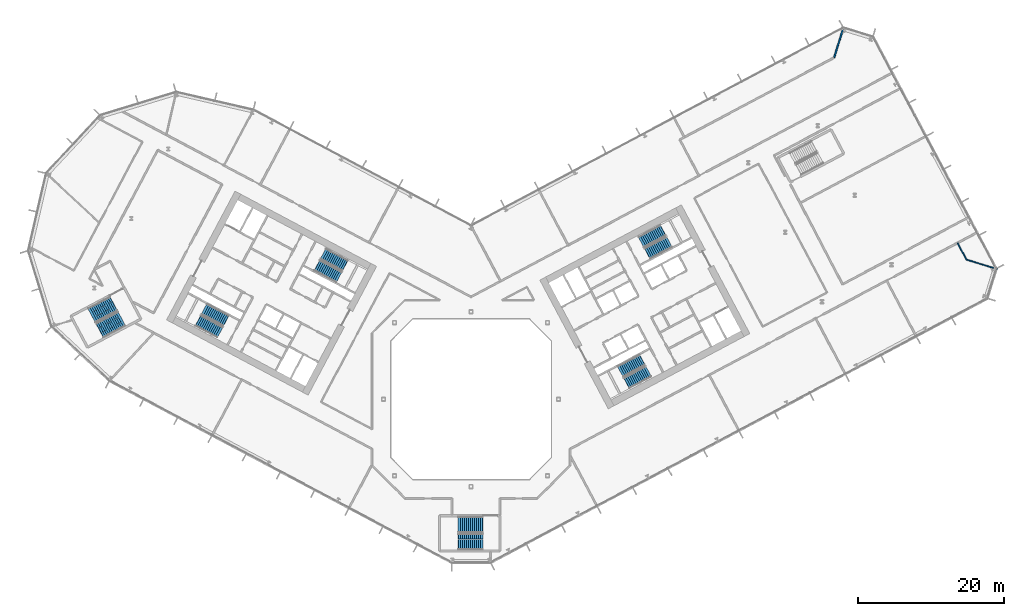
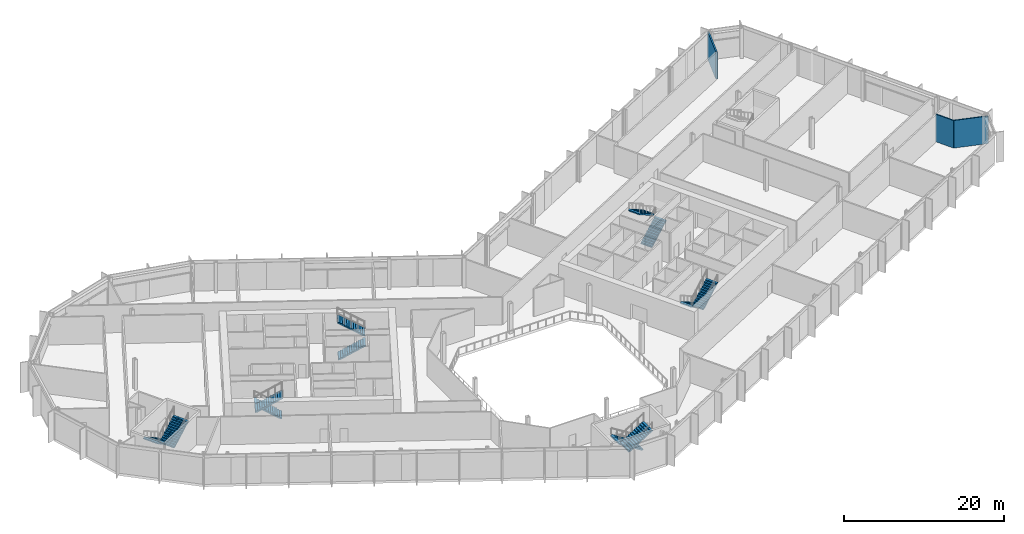
# One storey, part 20 of 32: 12 stair flights, 3 walls, 6 elements without a shape of their own.
"""IFC4 building model written with IfcOpenShell, lengths in metres."""

import ifcopenshell
import ifcopenshell.guid

model = None  # the IFC model being written
_history = None  # IfcOwnerHistory: only IFC2X3 demands one
_inside = {}  # id of a spatial element -> (the spatial element, [elements in it])
_under = {}  # id of a project, library or spatial element -> (it, [spatial elements below it])
_declared = {}  # id of a project -> (the project, [libraries it declares])
_typed = {}  # id of a type object -> (the type object, [elements of that type])
_made_of = {}  # id of a material, layer set ... -> (it, [elements and type objects made of it])


def new_model(schema):
    """Start an empty IFC model of exactly this schema.

    Asked for "IFC4X3", IfcOpenShell would pick the latest addendum, in which some entities
    have other attributes; the version numbers below select the first issue.
    IFC2X3 requires an IfcOwnerHistory on every rooted entity: one is made here for all.
    """
    global model, _history
    if schema == "IFC4X3":
        model = ifcopenshell.file(schema_version=(4, 3, 0, 0))
    else:
        model = ifcopenshell.file(schema=schema)
    _inside.clear()
    _under.clear()
    _declared.clear()
    _typed.clear()
    _made_of.clear()
    _history = None
    if model.schema == "IFC2X3":
        org = make("IfcOrganization", Name="unknown")
        user = make(
            "IfcPersonAndOrganization",
            ThePerson=make("IfcPerson", FamilyName="unknown"),
            TheOrganization=org,
        )
        app = make(
            "IfcApplication",
            ApplicationDeveloper=org,
            Version="unknown",
            ApplicationFullName="unknown",
            ApplicationIdentifier="unknown",
        )
        _history = make(
            "IfcOwnerHistory",
            OwningUser=user,
            OwningApplication=app,
            ChangeAction="ADDED",
            CreationDate=0,
        )
    return model


def make(cls, **values):
    """One entity of the class cls with the attributes given. An attribute that is None is left unset."""
    return model.create_entity(
        cls, **{name: value for name, value in values.items() if value is not None}
    )


def rooted(cls, **values):
    """An entity with a GlobalId (a new one), such as an element, a storey or a relation."""
    return make(cls, GlobalId=ifcopenshell.guid.new(), OwnerHistory=_history, **values)


def si_unit(unit_type, name, prefix=None):
    """IfcSIUnit, for example si_unit("LENGTHUNIT", "METRE", prefix="MILLI")."""
    return make("IfcSIUnit", UnitType=unit_type, Prefix=prefix, Name=name)


def assignment(units):
    """IfcUnitAssignment: the units of a project."""
    return None if units is None else make("IfcUnitAssignment", Units=units)


def point(xyz):
    """IfcCartesianPoint."""
    return None if xyz is None else make("IfcCartesianPoint", Coordinates=xyz)


def direction(xyz):
    """IfcDirection."""
    return None if xyz is None else make("IfcDirection", DirectionRatios=xyz)


def frame(location, z_axis=None, x_axis=None):
    """IfcAxis2Placement3D, a coordinate frame: its origin and axes. An axis left out is left unset."""
    return make(
        "IfcAxis2Placement3D",
        Location=point(location),
        Axis=direction(z_axis),
        RefDirection=direction(x_axis),
    )


def frame_2d(location, x_axis=None):
    """IfcAxis2Placement2D, a coordinate frame in the plane: its origin and x axis."""
    return make(
        "IfcAxis2Placement2D", Location=point(location), RefDirection=direction(x_axis)
    )


def origin():
    """The frame at (0, 0, 0) with its axes left unset."""
    return frame((0.0, 0.0, 0.0))


def place(relative_to, where):
    """IfcLocalPlacement: puts the frame where relative to a parent placement (None: the world)."""
    return make(
        "IfcLocalPlacement", PlacementRelTo=relative_to, RelativePlacement=where
    )


def context(
    kind, dimensions, precision=None, world=None, true_north=None, identifier=None
):
    """IfcGeometricRepresentationContext, for example the 3D "Model" context."""
    return make(
        "IfcGeometricRepresentationContext",
        ContextIdentifier=identifier,
        ContextType=kind,
        CoordinateSpaceDimension=dimensions,
        Precision=precision,
        WorldCoordinateSystem=world,
        TrueNorth=true_north,
    )


def subcontext(parent, identifier, kind, view, scale=None):
    """IfcGeometricRepresentationSubContext, for example "Body" below "Model"."""
    return make(
        "IfcGeometricRepresentationSubContext",
        ContextIdentifier=identifier,
        ContextType=kind,
        ParentContext=parent,
        TargetScale=scale,
        TargetView=view,
    )


def project(units=None, contexts=None):
    """IfcProject with its units and contexts."""
    return rooted(
        "IfcProject",
        Name="project",
        RepresentationContexts=contexts,
        UnitsInContext=assignment(units),
    )


def spatial(cls, under=None, at=None, **own):
    """A site, building, storey or space (cls), placed at a placement, below another one or the project."""
    s = rooted(cls, ObjectPlacement=at, **own)
    if under is not None:
        _under.setdefault(under.id(), (under, []))[1].append(s)
    return s


def polyline(points):
    """IfcPolyline through the points."""
    return make("IfcPolyline", Points=[point(p) for p in points])


def profile(cls, at=None, kind="AREA", **sizes):
    """A parametric profile (cls). Its sizes go by their IFC names, for example OverallWidth=200.0."""
    return make(cls, ProfileType=kind, Position=at, **sizes)


def rectangle(**sizes):
    """IfcRectangleProfileDef."""
    return profile("IfcRectangleProfileDef", **sizes)


def outline(outer, holes=None, kind="AREA"):
    """IfcArbitraryClosedProfileDef: a profile drawn as a closed curve; with holes, ...WithVoids."""
    if holes is None:
        return make("IfcArbitraryClosedProfileDef", ProfileType=kind, OuterCurve=outer)
    return make(
        "IfcArbitraryProfileDefWithVoids",
        ProfileType=kind,
        OuterCurve=outer,
        InnerCurves=holes,
    )


def extrude(swept, where, along, depth):
    """IfcExtrudedAreaSolid: the profile swept, set in the frame where, extruded along a direction by depth."""
    return make(
        "IfcExtrudedAreaSolid",
        SweptArea=swept,
        Position=where,
        ExtrudedDirection=direction(along),
        Depth=depth,
    )


def shape(context_of_items, identifier, shape_type, items):
    """IfcShapeRepresentation: the items that make up one representation, for example the "Body"."""
    return make(
        "IfcShapeRepresentation",
        ContextOfItems=context_of_items,
        RepresentationIdentifier=identifier,
        RepresentationType=shape_type,
        Items=items,
    )


def material(Name=None, Category=None):
    """IfcMaterial."""
    return make("IfcMaterial", Name=Name, Category=Category)


def layer(
    of_material, thickness, ventilated=None, Name=None, Category=None, Priority=None
):
    """IfcMaterialLayer: one layer of a wall or slab, of a material (None: an air gap)."""
    return make(
        "IfcMaterialLayer",
        Material=of_material,
        LayerThickness=thickness,
        IsVentilated=ventilated,
        Name=Name,
        Category=Category,
        Priority=Priority,
    )


def layer_set(layers, Name=None):
    """IfcMaterialLayerSet."""
    return make("IfcMaterialLayerSet", MaterialLayers=layers, LayerSetName=Name)


def made_of(thing, what):
    """Note that an element or type object is made of a material, layer set ...; save() writes the relation."""
    if what is not None:
        _made_of.setdefault(what.id(), (what, []))[1].append(thing)
    return thing


def type_object(cls, material=None, **own):
    """A type object (cls), such as IfcWallType, which elements share."""
    return made_of(rooted(cls, **own), material)


def element(
    cls,
    number,
    at=None,
    inside=None,
    cuts=None,
    type_object=None,
    material=None,
    context=None,
    identifier="Body",
    shape_type=None,
    held_by="IfcProductDefinitionShape",
    body=None,
    shapes=None,
    **own,
):
    """One element of the class cls, such as IfcWall. Its Tag is "e" and its number.

    at: its placement. inside: the storey or other place that contains it. cuts: it is an
    opening in that element (IfcRelVoidsElement). A single representation is given by context,
    identifier, shape_type and body (its items); several are given by shapes. held_by: the class
    of the entity that holds the representations. save() writes the other relations.
    """
    e = rooted(cls, Tag="e%d" % number, ObjectPlacement=at, **own)
    if body is not None:
        shapes = [shape(context, identifier, shape_type, body)]
    if shapes is not None:
        e.Representation = make(held_by, Representations=shapes)
    if inside is not None:
        _inside.setdefault(inside.id(), (inside, []))[1].append(e)
    if cuts is not None:
        rooted(
            "IfcRelVoidsElement", RelatingBuildingElement=cuts, RelatedOpeningElement=e
        )
    if type_object is not None:
        _typed.setdefault(type_object.id(), (type_object, []))[1].append(e)
    return made_of(e, material)


def aggregate(whole, parts):
    """IfcRelAggregates: a whole, such as a stair, and the parts it consists of."""
    return rooted("IfcRelAggregates", RelatingObject=whole, RelatedObjects=parts)


def save(model, path):
    """Write the relations noted so far, then the file.

    IfcRelAggregates (storeys below a building ...), IfcRelContainedInSpatialStructure (elements
    in a storey), IfcRelDefinesByType, IfcRelAssociatesMaterial and IfcRelDeclares: one each for
    every whole, place, type object, material and project.
    """
    for whole, parts in _under.values():
        aggregate(whole, parts)
    for where, things in _inside.values():
        rooted(
            "IfcRelContainedInSpatialStructure",
            RelatedElements=things,
            RelatingStructure=where,
        )
    for kind, things in _typed.values():
        rooted("IfcRelDefinesByType", RelatedObjects=things, RelatingType=kind)
    for what, things in _made_of.values():
        rooted("IfcRelAssociatesMaterial", RelatedObjects=things, RelatingMaterial=what)
    for by, libraries in _declared.values():
        rooted("IfcRelDeclares", RelatingContext=by, RelatedDefinitions=libraries)
    model.write(path)


model = new_model("IFC4")

# Units and contexts
model_context = context("Model", 3, precision=1e-05, world=origin(), true_north=direction((0.0, 1.0)))
body_context = subcontext(model_context, "Body", "Model", "MODEL_VIEW")
ifc_project = project(units=[si_unit("LENGTHUNIT", "METRE"), si_unit("AREAUNIT", "SQUARE_METRE"), si_unit("VOLUMEUNIT", "CUBIC_METRE"), si_unit("PLANEANGLEUNIT", "RADIAN"), si_unit("MASSUNIT", "GRAM", prefix="KILO")], contexts=[model_context])

# Site, building, storey
site_placement = place(None, origin())
site = spatial("IfcSite", under=ifc_project, at=site_placement, CompositionType="ELEMENT")
building_placement = place(site_placement, origin())
building = spatial("IfcBuilding", under=site, at=building_placement, Name="Cormorant Relay Tower", CompositionType="ELEMENT")
storey_placement = place(building_placement, frame((0.0, 0.0, 66.199951171875)))
storey = spatial("IfcBuildingStorey", under=building, at=storey_placement, Name="L12", CompositionType="ELEMENT", Elevation=66.199951171875)

# Walls
ifc_material_1 = material(Name="Fire-rated gypsum board partition")
ifc_layer_1 = layer(ifc_material_1, 0.199951171875)
ifc_layer_set_1 = layer_set([ifc_layer_1], Name="Fire-rated gypsum partition 200")
wall_type_1 = type_object("IfcWallType", Name="Fire-rated gypsum partition 200", PredefinedType="PARTITIONING", material=ifc_layer_set_1)
wall_1_placement = place(storey_placement, frame((49.823974609375, 46.8779296875, 0.0), z_axis=(0.0, 0.0, 1.0), x_axis=(0.29242717897, 0.956287794024, 0.0)))
element("IfcWall", 1, at=wall_1_placement, inside=storey, type_object=wall_type_1, Name="wall/L12/part/39", PredefinedType="PARTITIONING", context=body_context, shape_type="SweptSolid", body=[
    extrude(rectangle(XDim=4.458984375, YDim=0.199951171875, at=frame_2d((2.2294921875, 0.0))), origin(), (0.0, 0.0, 1.0), 4.199951171875),
])
ifc_material_2 = material(Name="Gypsum board partition")
ifc_layer_2 = layer(ifc_material_2, 0.14990234375)
ifc_layer_set_2 = layer_set([ifc_layer_2], Name="Gypsum board partition 150")
wall_type_2 = type_object("IfcWallType", Name="Gypsum board partition 150", PredefinedType="PARTITIONING", material=ifc_layer_set_2)
wall_2_placement = place(storey_placement, frame((66.743896484375, 21.445068359375, 0.0), z_axis=(0.0, 0.0, 1.0), x_axis=(0.469720428517, -0.882815223608, 0.0)))
element("IfcWall", 2, at=wall_2_placement, inside=storey, type_object=wall_type_2, Name="wall/L12/part/50", PredefinedType="PARTITIONING", context=body_context, shape_type="SweptSolid", body=[
    extrude(rectangle(XDim=2.599853515625, YDim=0.14990234375, at=frame_2d((1.2998046875, 0.0))), origin(), (0.0, 0.0, 1.0), 4.199951171875),
])
wall_3_placement = place(storey_placement, frame((67.965087890625, 19.14990234375, 0.0), z_axis=(0.0, 0.0, 1.0), x_axis=(0.956221844793, -0.292642757539, 0.0)))
element("IfcWall", 3, at=wall_3_placement, inside=storey, type_object=wall_type_2, Name="wall/L12/part/51", PredefinedType="PARTITIONING", context=body_context, shape_type="SweptSolid", body=[
    extrude(rectangle(XDim=4.459228515625, YDim=0.14990234375, at=frame_2d((2.2294921875, 0.0))), origin(), (0.0, 0.0, 1.0), 4.199951171875),
])

# Stair, stair flights
ifc_material_3 = material(Name="Concrete 40 MPa", Category="concrete")
stair_type_1 = type_object("IfcStairType", Name="Exit stair 1500", PredefinedType="HALF_TURN_STAIR", material=ifc_material_3)
stair_1_placement = place(storey_placement, origin())
stair_1 = element("IfcStair", 4, at=stair_1_placement, inside=storey, type_object=stair_type_1, Name="L12 Stair", PredefinedType="HALF_TURN_STAIR")
ifc_material_4 = material(Name="Concrete 40 MPa", Category="concrete")
stair_flight_type_1 = type_object("IfcStairFlightType", Name="Exit stair flight 1650", PredefinedType="STRAIGHT", material=ifc_material_4)
stair_flight_1_placement = place(storey_placement, frame((-21.114501953125, 18.33349609375, 0.0), z_axis=(0.0, 0.0, 1.0), x_axis=(0.882947592859, -0.469471562786, 0.0)))
stair_flight_1 = element("IfcStairFlight", 5, at=stair_flight_1_placement, type_object=stair_flight_type_1, Name="A1 flight 1", NumberOfRisers=13, NumberOfTreads=12, PredefinedType="STRAIGHT", RiserHeight=0.176923077, TreadLength=0.28, context=body_context, shape_type="SweptSolid", body=[
    extrude(outline(polyline([(-0.050048828125, -0.080078125), (-0.050048828125, 0.0), (0.0, 0.0), (0.0, 0.177001953125), (0.280029296875, 0.177001953125), (0.280029296875, 0.353759765625), (0.56005859375, 0.353759765625), (0.56005859375, 0.53076171875), (0.840087890625, 0.53076171875), (0.840087890625, 0.707763671875), (1.1201171875, 0.707763671875), (1.1201171875, 0.884521484375), (1.39990234375, 0.884521484375), (1.39990234375, 1.0615234375), (1.679931640625, 1.0615234375), (1.679931640625, 1.238525390625), (1.9599609375, 1.238525390625), (1.9599609375, 1.415283203125), (2.239990234375, 1.415283203125), (2.239990234375, 1.59228515625), (2.52001953125, 1.59228515625), (2.52001953125, 1.769287109375), (2.800048828125, 1.769287109375), (2.800048828125, 1.946044921875), (3.080078125, 1.946044921875), (3.080078125, 2.123046875), (3.360107421875, 2.123046875), (3.41015625, 2.123046875), (3.41015625, 1.94580078125), (3.360107421875, 1.94580078125), (0.280517578125, 0.0), (-0.050048828125, -0.080078125)])), frame((0.0, 0.824951171875, 0.0), z_axis=(0.0, -1.0, 0.0), x_axis=(1.0, 0.0, 0.0)), (0.0, 0.0, 1.0), 1.64990234375),
])
stair_flight_2_placement = place(storey_placement, frame((-17.302734375, 18.345458984375, 2.300048828125), z_axis=(0.0, 0.0, 1.0), x_axis=(-0.882947592859, 0.469471562786, 0.0)))
stair_flight_2 = element("IfcStairFlight", 6, at=stair_flight_2_placement, type_object=stair_flight_type_1, Name="A1 flight 2", NumberOfRisers=13, NumberOfTreads=12, PredefinedType="STRAIGHT", RiserHeight=0.176923077, TreadLength=0.28, context=body_context, shape_type="SweptSolid", body=[
    extrude(outline(polyline([(-0.050048828125, -0.080078125), (-0.050048828125, 0.0), (0.0, 0.0), (0.0, 0.177001953125), (0.280029296875, 0.177001953125), (0.280029296875, 0.353759765625), (0.56005859375, 0.353759765625), (0.56005859375, 0.53076171875), (0.840087890625, 0.53076171875), (0.840087890625, 0.707763671875), (1.1201171875, 0.707763671875), (1.1201171875, 0.884521484375), (1.39990234375, 0.884521484375), (1.39990234375, 1.0615234375), (1.679931640625, 1.0615234375), (1.679931640625, 1.238525390625), (1.9599609375, 1.238525390625), (1.9599609375, 1.415283203125), (2.239990234375, 1.415283203125), (2.239990234375, 1.59228515625), (2.52001953125, 1.59228515625), (2.52001953125, 1.769287109375), (2.800048828125, 1.769287109375), (2.800048828125, 1.946044921875), (3.080078125, 1.946044921875), (3.080078125, 2.123046875), (3.360107421875, 2.123046875), (3.41015625, 2.123046875), (3.41015625, 1.94580078125), (3.360107421875, 1.94580078125), (0.280517578125, 0.0), (-0.050048828125, -0.080078125)])), frame((0.0, 0.824951171875, 0.0), z_axis=(0.0, -1.0, 0.0), x_axis=(1.0, 0.0, 0.0)), (0.0, 0.0, 1.0), 1.64990234375),
])
aggregate(stair_1, [stair_flight_1, stair_flight_2])

stair_2_placement = place(storey_placement, origin())
stair_2 = element("IfcStair", 7, at=stair_2_placement, inside=storey, type_object=stair_type_1, Name="L12 Stair", PredefinedType="HALF_TURN_STAIR")
stair_flight_3_placement = place(storey_placement, frame((-33.62841796875, 10.773681640625, 0.0), z_axis=(0.0, 0.0, 1.0), x_axis=(-0.882947592859, 0.469471562786, 0.0)))
stair_flight_3 = element("IfcStairFlight", 8, at=stair_flight_3_placement, type_object=stair_flight_type_1, Name="A2 flight 1", NumberOfRisers=13, NumberOfTreads=12, PredefinedType="STRAIGHT", RiserHeight=0.176923077, TreadLength=0.28, context=body_context, shape_type="SweptSolid", body=[
    extrude(outline(polyline([(-0.050048828125, -0.080078125), (-0.050048828125, 0.0), (0.0, 0.0), (0.0, 0.177001953125), (0.280029296875, 0.177001953125), (0.280029296875, 0.353759765625), (0.56005859375, 0.353759765625), (0.56005859375, 0.53076171875), (0.840087890625, 0.53076171875), (0.840087890625, 0.707763671875), (1.1201171875, 0.707763671875), (1.1201171875, 0.884521484375), (1.39990234375, 0.884521484375), (1.39990234375, 1.0615234375), (1.679931640625, 1.0615234375), (1.679931640625, 1.238525390625), (1.9599609375, 1.238525390625), (1.9599609375, 1.415283203125), (2.239990234375, 1.415283203125), (2.239990234375, 1.59228515625), (2.52001953125, 1.59228515625), (2.52001953125, 1.769287109375), (2.800048828125, 1.769287109375), (2.800048828125, 1.946044921875), (3.080078125, 1.946044921875), (3.080078125, 2.123046875), (3.360107421875, 2.123046875), (3.41015625, 2.123046875), (3.41015625, 1.94580078125), (3.360107421875, 1.94580078125), (0.280517578125, 0.0), (-0.050048828125, -0.080078125)])), frame((0.0, 0.824951171875, 0.0), z_axis=(0.0, -1.0, 0.0), x_axis=(1.0, 0.0, 0.0)), (0.0, 0.0, 1.0), 1.64990234375),
])
stair_flight_4_placement = place(storey_placement, frame((-37.440185546875, 10.76171875, 2.300048828125), z_axis=(0.0, 0.0, 1.0), x_axis=(0.882947592859, -0.469471562786, 0.0)))
stair_flight_4 = element("IfcStairFlight", 9, at=stair_flight_4_placement, type_object=stair_flight_type_1, Name="A2 flight 2", NumberOfRisers=13, NumberOfTreads=12, PredefinedType="STRAIGHT", RiserHeight=0.176923077, TreadLength=0.28, context=body_context, shape_type="SweptSolid", body=[
    extrude(outline(polyline([(-0.050048828125, -0.080078125), (-0.050048828125, 0.0), (0.0, 0.0), (0.0, 0.177001953125), (0.280029296875, 0.177001953125), (0.280029296875, 0.353759765625), (0.56005859375, 0.353759765625), (0.56005859375, 0.53076171875), (0.840087890625, 0.53076171875), (0.840087890625, 0.707763671875), (1.1201171875, 0.707763671875), (1.1201171875, 0.884521484375), (1.39990234375, 0.884521484375), (1.39990234375, 1.0615234375), (1.679931640625, 1.0615234375), (1.679931640625, 1.238525390625), (1.9599609375, 1.238525390625), (1.9599609375, 1.415283203125), (2.239990234375, 1.415283203125), (2.239990234375, 1.59228515625), (2.52001953125, 1.59228515625), (2.52001953125, 1.769287109375), (2.800048828125, 1.769287109375), (2.800048828125, 1.946044921875), (3.080078125, 1.946044921875), (3.080078125, 2.123046875), (3.360107421875, 2.123046875), (3.41015625, 2.123046875), (3.41015625, 1.94580078125), (3.360107421875, 1.94580078125), (0.280517578125, 0.0), (-0.050048828125, -0.080078125)])), frame((0.0, 0.824951171875, 0.0), z_axis=(0.0, -1.0, 0.0), x_axis=(1.0, 0.0, 0.0)), (0.0, 0.0, 1.0), 1.64990234375),
])
aggregate(stair_2, [stair_flight_3, stair_flight_4])

stair_3_placement = place(storey_placement, origin())
stair_3 = element("IfcStair", 10, at=stair_3_placement, inside=storey, type_object=stair_type_1, Name="L12 Stair", PredefinedType="HALF_TURN_STAIR")
stair_flight_5_placement = place(storey_placement, frame((23.474365234375, 5.374755859375, 0.0), z_axis=(0.0, 0.0, 1.0), x_axis=(-0.882947592859, -0.469471562786, 0.0)))
stair_flight_5 = element("IfcStairFlight", 11, at=stair_flight_5_placement, type_object=stair_flight_type_1, Name="B1 flight 1", NumberOfRisers=13, NumberOfTreads=12, PredefinedType="STRAIGHT", RiserHeight=0.176923077, TreadLength=0.28, context=body_context, shape_type="SweptSolid", body=[
    extrude(outline(polyline([(-0.050048828125, -0.080078125), (-0.050048828125, 0.0), (0.0, 0.0), (0.0, 0.177001953125), (0.280029296875, 0.177001953125), (0.280029296875, 0.353759765625), (0.56005859375, 0.353759765625), (0.56005859375, 0.53076171875), (0.840087890625, 0.53076171875), (0.840087890625, 0.707763671875), (1.1201171875, 0.707763671875), (1.1201171875, 0.884521484375), (1.39990234375, 0.884521484375), (1.39990234375, 1.0615234375), (1.679931640625, 1.0615234375), (1.679931640625, 1.238525390625), (1.9599609375, 1.238525390625), (1.9599609375, 1.415283203125), (2.239990234375, 1.415283203125), (2.239990234375, 1.59228515625), (2.52001953125, 1.59228515625), (2.52001953125, 1.769287109375), (2.800048828125, 1.769287109375), (2.800048828125, 1.946044921875), (3.080078125, 1.946044921875), (3.080078125, 2.123046875), (3.360107421875, 2.123046875), (3.41015625, 2.123046875), (3.41015625, 1.94580078125), (3.360107421875, 1.94580078125), (0.280517578125, 0.0), (-0.050048828125, -0.080078125)])), frame((0.0, 0.824951171875, 0.0), z_axis=(0.0, -1.0, 0.0), x_axis=(1.0, 0.0, 0.0)), (0.0, 0.0, 1.0), 1.64990234375),
])
stair_flight_6_placement = place(storey_placement, frame((21.352783203125, 2.2080078125, 2.300048828125), z_axis=(0.0, 0.0, 1.0), x_axis=(0.882947592859, 0.469471562786, 0.0)))
stair_flight_6 = element("IfcStairFlight", 12, at=stair_flight_6_placement, type_object=stair_flight_type_1, Name="B1 flight 2", NumberOfRisers=13, NumberOfTreads=12, PredefinedType="STRAIGHT", RiserHeight=0.176923077, TreadLength=0.28, context=body_context, shape_type="SweptSolid", body=[
    extrude(outline(polyline([(-0.050048828125, -0.080078125), (-0.050048828125, 0.0), (0.0, 0.0), (0.0, 0.177001953125), (0.280029296875, 0.177001953125), (0.280029296875, 0.353759765625), (0.56005859375, 0.353759765625), (0.56005859375, 0.53076171875), (0.840087890625, 0.53076171875), (0.840087890625, 0.707763671875), (1.1201171875, 0.707763671875), (1.1201171875, 0.884521484375), (1.39990234375, 0.884521484375), (1.39990234375, 1.0615234375), (1.679931640625, 1.0615234375), (1.679931640625, 1.238525390625), (1.9599609375, 1.238525390625), (1.9599609375, 1.415283203125), (2.239990234375, 1.415283203125), (2.239990234375, 1.59228515625), (2.52001953125, 1.59228515625), (2.52001953125, 1.769287109375), (2.800048828125, 1.769287109375), (2.800048828125, 1.946044921875), (3.080078125, 1.946044921875), (3.080078125, 2.123046875), (3.360107421875, 2.123046875), (3.41015625, 2.123046875), (3.41015625, 1.94580078125), (3.360107421875, 1.94580078125), (0.280517578125, 0.0), (-0.050048828125, -0.080078125)])), frame((0.0, 0.824951171875, 0.0), z_axis=(0.0, -1.0, 0.0), x_axis=(1.0, 0.0, 0.0)), (0.0, 0.0, 1.0), 1.64990234375),
])
aggregate(stair_3, [stair_flight_5, stair_flight_6])

stair_4_placement = place(storey_placement, origin())
stair_4 = element("IfcStair", 13, at=stair_4_placement, inside=storey, type_object=stair_type_1, Name="L12 Stair", PredefinedType="HALF_TURN_STAIR")
stair_flight_7_placement = place(storey_placement, frame((24.20458984375, 19.976806640625, 0.0), z_axis=(0.0, 0.0, 1.0), x_axis=(0.882947592859, 0.469471562786, 0.0)))
stair_flight_7 = element("IfcStairFlight", 14, at=stair_flight_7_placement, type_object=stair_flight_type_1, Name="B2 flight 1", NumberOfRisers=13, NumberOfTreads=12, PredefinedType="STRAIGHT", RiserHeight=0.176923077, TreadLength=0.28, context=body_context, shape_type="SweptSolid", body=[
    extrude(outline(polyline([(-0.050048828125, -0.080078125), (-0.050048828125, 0.0), (0.0, 0.0), (0.0, 0.177001953125), (0.280029296875, 0.177001953125), (0.280029296875, 0.353759765625), (0.56005859375, 0.353759765625), (0.56005859375, 0.53076171875), (0.840087890625, 0.53076171875), (0.840087890625, 0.707763671875), (1.1201171875, 0.707763671875), (1.1201171875, 0.884521484375), (1.39990234375, 0.884521484375), (1.39990234375, 1.0615234375), (1.679931640625, 1.0615234375), (1.679931640625, 1.238525390625), (1.9599609375, 1.238525390625), (1.9599609375, 1.415283203125), (2.239990234375, 1.415283203125), (2.239990234375, 1.59228515625), (2.52001953125, 1.59228515625), (2.52001953125, 1.769287109375), (2.800048828125, 1.769287109375), (2.800048828125, 1.946044921875), (3.080078125, 1.946044921875), (3.080078125, 2.123046875), (3.360107421875, 2.123046875), (3.41015625, 2.123046875), (3.41015625, 1.94580078125), (3.360107421875, 1.94580078125), (0.280517578125, 0.0), (-0.050048828125, -0.080078125)])), frame((0.0, 0.824951171875, 0.0), z_axis=(0.0, -1.0, 0.0), x_axis=(1.0, 0.0, 0.0)), (0.0, 0.0, 1.0), 1.64990234375),
])
stair_flight_8_placement = place(storey_placement, frame((26.326416015625, 23.1435546875, 2.300048828125), z_axis=(0.0, 0.0, 1.0), x_axis=(-0.882947592859, -0.469471562786, 0.0)))
stair_flight_8 = element("IfcStairFlight", 15, at=stair_flight_8_placement, type_object=stair_flight_type_1, Name="B2 flight 2", NumberOfRisers=13, NumberOfTreads=12, PredefinedType="STRAIGHT", RiserHeight=0.176923077, TreadLength=0.28, context=body_context, shape_type="SweptSolid", body=[
    extrude(outline(polyline([(-0.050048828125, -0.080078125), (-0.050048828125, 0.0), (0.0, 0.0), (0.0, 0.177001953125), (0.280029296875, 0.177001953125), (0.280029296875, 0.353759765625), (0.56005859375, 0.353759765625), (0.56005859375, 0.53076171875), (0.840087890625, 0.53076171875), (0.840087890625, 0.707763671875), (1.1201171875, 0.707763671875), (1.1201171875, 0.884521484375), (1.39990234375, 0.884521484375), (1.39990234375, 1.0615234375), (1.679931640625, 1.0615234375), (1.679931640625, 1.238525390625), (1.9599609375, 1.238525390625), (1.9599609375, 1.415283203125), (2.239990234375, 1.415283203125), (2.239990234375, 1.59228515625), (2.52001953125, 1.59228515625), (2.52001953125, 1.769287109375), (2.800048828125, 1.769287109375), (2.800048828125, 1.946044921875), (3.080078125, 1.946044921875), (3.080078125, 2.123046875), (3.360107421875, 2.123046875), (3.41015625, 2.123046875), (3.41015625, 1.94580078125), (3.360107421875, 1.94580078125), (0.280517578125, 0.0), (-0.050048828125, -0.080078125)])), frame((0.0, 0.824951171875, 0.0), z_axis=(0.0, -1.0, 0.0), x_axis=(1.0, 0.0, 0.0)), (0.0, 0.0, 1.0), 1.64990234375),
])
aggregate(stair_4, [stair_flight_7, stair_flight_8])

ifc_material_5 = material(Name="Concrete 40 MPa", Category="concrete")
stair_type_2 = type_object("IfcStairType", Name="Remote exit stair 2200", PredefinedType="HALF_TURN_STAIR", material=ifc_material_5)
stair_5_placement = place(storey_placement, origin())
stair_5 = element("IfcStair", 16, at=stair_5_placement, inside=storey, type_object=stair_type_2, Name="L12 Stair", PredefinedType="HALF_TURN_STAIR")
ifc_material_6 = material(Name="Concrete 40 MPa", Category="concrete")
stair_flight_type_2 = type_object("IfcStairFlightType", Name="Remote exit stair flight 2200", PredefinedType="STRAIGHT", material=ifc_material_6)
stair_flight_9_placement = place(storey_placement, frame((1.60009765625, -17.22509765625, 0.0), z_axis=(0.0, 0.0, 1.0), x_axis=(-1.0, 0.0, 0.0)))
stair_flight_9 = element("IfcStairFlight", 17, at=stair_flight_9_placement, type_object=stair_flight_type_2, Name="RK1 flight 1", NumberOfRisers=13, NumberOfTreads=12, PredefinedType="STRAIGHT", RiserHeight=0.176923077, TreadLength=0.28, context=body_context, shape_type="SweptSolid", body=[
    extrude(outline(polyline([(-0.050048828125, -0.080078125), (-0.050048828125, 0.0), (0.0, 0.0), (0.0, 0.177001953125), (0.280029296875, 0.177001953125), (0.280029296875, 0.353759765625), (0.56005859375, 0.353759765625), (0.56005859375, 0.53076171875), (0.840087890625, 0.53076171875), (0.840087890625, 0.707763671875), (1.1201171875, 0.707763671875), (1.1201171875, 0.884521484375), (1.39990234375, 0.884521484375), (1.39990234375, 1.0615234375), (1.679931640625, 1.0615234375), (1.679931640625, 1.238525390625), (1.9599609375, 1.238525390625), (1.9599609375, 1.415283203125), (2.239990234375, 1.415283203125), (2.239990234375, 1.59228515625), (2.52001953125, 1.59228515625), (2.52001953125, 1.769287109375), (2.800048828125, 1.769287109375), (2.800048828125, 1.946044921875), (3.080078125, 1.946044921875), (3.080078125, 2.123046875), (3.360107421875, 2.123046875), (3.41015625, 2.123046875), (3.41015625, 1.94580078125), (3.360107421875, 1.94580078125), (0.280517578125, 0.0), (-0.050048828125, -0.080078125)])), frame((0.0, 1.10009765625, 0.0), z_axis=(0.0, -1.0, 0.0), x_axis=(1.0, 0.0, 0.0)), (0.0, 0.0, 1.0), 0.719970703125),
    extrude(outline(polyline([(-0.050048828125, -0.080078125), (-0.050048828125, 0.0), (0.0, 0.0), (0.0, 0.177001953125), (0.280029296875, 0.177001953125), (0.280029296875, 0.353759765625), (0.56005859375, 0.353759765625), (0.56005859375, 0.53076171875), (0.840087890625, 0.53076171875), (0.840087890625, 0.707763671875), (1.1201171875, 0.707763671875), (1.1201171875, 0.884521484375), (1.39990234375, 0.884521484375), (1.39990234375, 1.0615234375), (1.679931640625, 1.0615234375), (1.679931640625, 1.238525390625), (1.9599609375, 1.238525390625), (1.9599609375, 1.415283203125), (2.239990234375, 1.415283203125), (2.239990234375, 1.59228515625), (2.52001953125, 1.59228515625), (2.52001953125, 1.769287109375), (2.800048828125, 1.769287109375), (2.800048828125, 1.946044921875), (3.080078125, 1.946044921875), (3.080078125, 2.123046875), (3.360107421875, 2.123046875), (3.41015625, 2.123046875), (3.41015625, 1.94580078125), (3.360107421875, 1.94580078125), (0.280517578125, 0.0), (-0.050048828125, -0.080078125)])), frame((0.0, 0.360107421875, 0.0), z_axis=(0.0, -1.0, 0.0), x_axis=(1.0, 0.0, 0.0)), (0.0, 0.0, 1.0), 0.719970703125),
    extrude(outline(polyline([(-0.050048828125, -0.080078125), (-0.050048828125, 0.0), (0.0, 0.0), (0.0, 0.177001953125), (0.280029296875, 0.177001953125), (0.280029296875, 0.353759765625), (0.56005859375, 0.353759765625), (0.56005859375, 0.53076171875), (0.840087890625, 0.53076171875), (0.840087890625, 0.707763671875), (1.1201171875, 0.707763671875), (1.1201171875, 0.884521484375), (1.39990234375, 0.884521484375), (1.39990234375, 1.0615234375), (1.679931640625, 1.0615234375), (1.679931640625, 1.238525390625), (1.9599609375, 1.238525390625), (1.9599609375, 1.415283203125), (2.239990234375, 1.415283203125), (2.239990234375, 1.59228515625), (2.52001953125, 1.59228515625), (2.52001953125, 1.769287109375), (2.800048828125, 1.769287109375), (2.800048828125, 1.946044921875), (3.080078125, 1.946044921875), (3.080078125, 2.123046875), (3.360107421875, 2.123046875), (3.41015625, 2.123046875), (3.41015625, 1.94580078125), (3.360107421875, 1.94580078125), (0.280517578125, 0.0), (-0.050048828125, -0.080078125)])), frame((0.0, -0.3798828125, 0.0), z_axis=(0.0, -1.0, 0.0), x_axis=(1.0, 0.0, 0.0)), (0.0, 0.0, 1.0), 0.719970703125),
])
stair_flight_10_placement = place(storey_placement, frame((-1.760009765625, -19.574951171875, 2.300048828125), z_axis=(0.0, 0.0, 1.0), x_axis=(1.0, 0.0, 0.0)))
stair_flight_10 = element("IfcStairFlight", 18, at=stair_flight_10_placement, type_object=stair_flight_type_2, Name="RK1 flight 2", NumberOfRisers=13, NumberOfTreads=12, PredefinedType="STRAIGHT", RiserHeight=0.176923077, TreadLength=0.28, context=body_context, shape_type="SweptSolid", body=[
    extrude(outline(polyline([(-0.050048828125, -0.080078125), (-0.050048828125, 0.0), (0.0, 0.0), (0.0, 0.177001953125), (0.280029296875, 0.177001953125), (0.280029296875, 0.353759765625), (0.56005859375, 0.353759765625), (0.56005859375, 0.53076171875), (0.840087890625, 0.53076171875), (0.840087890625, 0.707763671875), (1.1201171875, 0.707763671875), (1.1201171875, 0.884521484375), (1.39990234375, 0.884521484375), (1.39990234375, 1.0615234375), (1.679931640625, 1.0615234375), (1.679931640625, 1.238525390625), (1.9599609375, 1.238525390625), (1.9599609375, 1.415283203125), (2.239990234375, 1.415283203125), (2.239990234375, 1.59228515625), (2.52001953125, 1.59228515625), (2.52001953125, 1.769287109375), (2.800048828125, 1.769287109375), (2.800048828125, 1.946044921875), (3.080078125, 1.946044921875), (3.080078125, 2.123046875), (3.360107421875, 2.123046875), (3.41015625, 2.123046875), (3.41015625, 1.94580078125), (3.360107421875, 1.94580078125), (0.280517578125, 0.0), (-0.050048828125, -0.080078125)])), frame((0.0, 1.10009765625, 0.0), z_axis=(0.0, -1.0, 0.0), x_axis=(1.0, 0.0, 0.0)), (0.0, 0.0, 1.0), 0.719970703125),
    extrude(outline(polyline([(-0.050048828125, -0.080078125), (-0.050048828125, 0.0), (0.0, 0.0), (0.0, 0.177001953125), (0.280029296875, 0.177001953125), (0.280029296875, 0.353759765625), (0.56005859375, 0.353759765625), (0.56005859375, 0.53076171875), (0.840087890625, 0.53076171875), (0.840087890625, 0.707763671875), (1.1201171875, 0.707763671875), (1.1201171875, 0.884521484375), (1.39990234375, 0.884521484375), (1.39990234375, 1.0615234375), (1.679931640625, 1.0615234375), (1.679931640625, 1.238525390625), (1.9599609375, 1.238525390625), (1.9599609375, 1.415283203125), (2.239990234375, 1.415283203125), (2.239990234375, 1.59228515625), (2.52001953125, 1.59228515625), (2.52001953125, 1.769287109375), (2.800048828125, 1.769287109375), (2.800048828125, 1.946044921875), (3.080078125, 1.946044921875), (3.080078125, 2.123046875), (3.360107421875, 2.123046875), (3.41015625, 2.123046875), (3.41015625, 1.94580078125), (3.360107421875, 1.94580078125), (0.280517578125, 0.0), (-0.050048828125, -0.080078125)])), frame((0.0, 0.360107421875, 0.0), z_axis=(0.0, -1.0, 0.0), x_axis=(1.0, 0.0, 0.0)), (0.0, 0.0, 1.0), 0.719970703125),
    extrude(outline(polyline([(-0.050048828125, -0.080078125), (-0.050048828125, 0.0), (0.0, 0.0), (0.0, 0.177001953125), (0.280029296875, 0.177001953125), (0.280029296875, 0.353759765625), (0.56005859375, 0.353759765625), (0.56005859375, 0.53076171875), (0.840087890625, 0.53076171875), (0.840087890625, 0.707763671875), (1.1201171875, 0.707763671875), (1.1201171875, 0.884521484375), (1.39990234375, 0.884521484375), (1.39990234375, 1.0615234375), (1.679931640625, 1.0615234375), (1.679931640625, 1.238525390625), (1.9599609375, 1.238525390625), (1.9599609375, 1.415283203125), (2.239990234375, 1.415283203125), (2.239990234375, 1.59228515625), (2.52001953125, 1.59228515625), (2.52001953125, 1.769287109375), (2.800048828125, 1.769287109375), (2.800048828125, 1.946044921875), (3.080078125, 1.946044921875), (3.080078125, 2.123046875), (3.360107421875, 2.123046875), (3.41015625, 2.123046875), (3.41015625, 1.94580078125), (3.360107421875, 1.94580078125), (0.280517578125, 0.0), (-0.050048828125, -0.080078125)])), frame((0.0, -0.3798828125, 0.0), z_axis=(0.0, -1.0, 0.0), x_axis=(1.0, 0.0, 0.0)), (0.0, 0.0, 1.0), 0.719970703125),
])
aggregate(stair_5, [stair_flight_9, stair_flight_10])

stair_6_placement = place(storey_placement, origin())
stair_6 = element("IfcStair", 19, at=stair_6_placement, inside=storey, type_object=stair_type_2, Name="L12 Stair", PredefinedType="HALF_TURN_STAIR")
stair_flight_11_placement = place(storey_placement, frame((-49.062255859375, 13.08251953125, 0.0), z_axis=(0.0, 0.0, 1.0), x_axis=(-0.882947502727, -0.4694717323, 0.0)))
stair_flight_11 = element("IfcStairFlight", 20, at=stair_flight_11_placement, type_object=stair_flight_type_2, Name="RP1 flight 1", NumberOfRisers=13, NumberOfTreads=12, PredefinedType="STRAIGHT", RiserHeight=0.176923077, TreadLength=0.28, context=body_context, shape_type="SweptSolid", body=[
    extrude(outline(polyline([(-0.050048828125, -0.080078125), (-0.050048828125, 0.0), (0.0, 0.0), (0.0, 0.177001953125), (0.280029296875, 0.177001953125), (0.280029296875, 0.353759765625), (0.56005859375, 0.353759765625), (0.56005859375, 0.53076171875), (0.840087890625, 0.53076171875), (0.840087890625, 0.707763671875), (1.1201171875, 0.707763671875), (1.1201171875, 0.884521484375), (1.39990234375, 0.884521484375), (1.39990234375, 1.0615234375), (1.679931640625, 1.0615234375), (1.679931640625, 1.238525390625), (1.9599609375, 1.238525390625), (1.9599609375, 1.415283203125), (2.239990234375, 1.415283203125), (2.239990234375, 1.59228515625), (2.52001953125, 1.59228515625), (2.52001953125, 1.769287109375), (2.800048828125, 1.769287109375), (2.800048828125, 1.946044921875), (3.080078125, 1.946044921875), (3.080078125, 2.123046875), (3.360107421875, 2.123046875), (3.41015625, 2.123046875), (3.41015625, 1.94580078125), (3.360107421875, 1.94580078125), (0.280517578125, 0.0), (-0.050048828125, -0.080078125)])), frame((0.0, 1.10009765625, 0.0), z_axis=(0.0, -1.0, 0.0), x_axis=(1.0, 0.0, 0.0)), (0.0, 0.0, 1.0), 0.719970703125),
    extrude(outline(polyline([(-0.050048828125, -0.080078125), (-0.050048828125, 0.0), (0.0, 0.0), (0.0, 0.177001953125), (0.280029296875, 0.177001953125), (0.280029296875, 0.353759765625), (0.56005859375, 0.353759765625), (0.56005859375, 0.53076171875), (0.840087890625, 0.53076171875), (0.840087890625, 0.707763671875), (1.1201171875, 0.707763671875), (1.1201171875, 0.884521484375), (1.39990234375, 0.884521484375), (1.39990234375, 1.0615234375), (1.679931640625, 1.0615234375), (1.679931640625, 1.238525390625), (1.9599609375, 1.238525390625), (1.9599609375, 1.415283203125), (2.239990234375, 1.415283203125), (2.239990234375, 1.59228515625), (2.52001953125, 1.59228515625), (2.52001953125, 1.769287109375), (2.800048828125, 1.769287109375), (2.800048828125, 1.946044921875), (3.080078125, 1.946044921875), (3.080078125, 2.123046875), (3.360107421875, 2.123046875), (3.41015625, 2.123046875), (3.41015625, 1.94580078125), (3.360107421875, 1.94580078125), (0.280517578125, 0.0), (-0.050048828125, -0.080078125)])), frame((0.0, 0.360107421875, 0.0), z_axis=(0.0, -1.0, 0.0), x_axis=(1.0, 0.0, 0.0)), (0.0, 0.0, 1.0), 0.719970703125),
    extrude(outline(polyline([(-0.050048828125, -0.080078125), (-0.050048828125, 0.0), (0.0, 0.0), (0.0, 0.177001953125), (0.280029296875, 0.177001953125), (0.280029296875, 0.353759765625), (0.56005859375, 0.353759765625), (0.56005859375, 0.53076171875), (0.840087890625, 0.53076171875), (0.840087890625, 0.707763671875), (1.1201171875, 0.707763671875), (1.1201171875, 0.884521484375), (1.39990234375, 0.884521484375), (1.39990234375, 1.0615234375), (1.679931640625, 1.0615234375), (1.679931640625, 1.238525390625), (1.9599609375, 1.238525390625), (1.9599609375, 1.415283203125), (2.239990234375, 1.415283203125), (2.239990234375, 1.59228515625), (2.52001953125, 1.59228515625), (2.52001953125, 1.769287109375), (2.800048828125, 1.769287109375), (2.800048828125, 1.946044921875), (3.080078125, 1.946044921875), (3.080078125, 2.123046875), (3.360107421875, 2.123046875), (3.41015625, 2.123046875), (3.41015625, 1.94580078125), (3.360107421875, 1.94580078125), (0.280517578125, 0.0), (-0.050048828125, -0.080078125)])), frame((0.0, -0.3798828125, 0.0), z_axis=(0.0, -1.0, 0.0), x_axis=(1.0, 0.0, 0.0)), (0.0, 0.0, 1.0), 0.719970703125),
])
stair_flight_12_placement = place(storey_placement, frame((-50.92578125, 9.43017578125, 2.300048828125), z_axis=(0.0, 0.0, 1.0), x_axis=(0.882947502727, 0.4694717323, 0.0)))
stair_flight_12 = element("IfcStairFlight", 21, at=stair_flight_12_placement, type_object=stair_flight_type_2, Name="RP1 flight 2", NumberOfRisers=13, NumberOfTreads=12, PredefinedType="STRAIGHT", RiserHeight=0.176923077, TreadLength=0.28, context=body_context, shape_type="SweptSolid", body=[
    extrude(outline(polyline([(-0.050048828125, -0.080078125), (-0.050048828125, 0.0), (0.0, 0.0), (0.0, 0.177001953125), (0.280029296875, 0.177001953125), (0.280029296875, 0.353759765625), (0.56005859375, 0.353759765625), (0.56005859375, 0.53076171875), (0.840087890625, 0.53076171875), (0.840087890625, 0.707763671875), (1.1201171875, 0.707763671875), (1.1201171875, 0.884521484375), (1.39990234375, 0.884521484375), (1.39990234375, 1.0615234375), (1.679931640625, 1.0615234375), (1.679931640625, 1.238525390625), (1.9599609375, 1.238525390625), (1.9599609375, 1.415283203125), (2.239990234375, 1.415283203125), (2.239990234375, 1.59228515625), (2.52001953125, 1.59228515625), (2.52001953125, 1.769287109375), (2.800048828125, 1.769287109375), (2.800048828125, 1.946044921875), (3.080078125, 1.946044921875), (3.080078125, 2.123046875), (3.360107421875, 2.123046875), (3.41015625, 2.123046875), (3.41015625, 1.94580078125), (3.360107421875, 1.94580078125), (0.280517578125, 0.0), (-0.050048828125, -0.080078125)])), frame((0.0, 1.10009765625, 0.0), z_axis=(0.0, -1.0, 0.0), x_axis=(1.0, 0.0, 0.0)), (0.0, 0.0, 1.0), 0.719970703125),
    extrude(outline(polyline([(-0.050048828125, -0.080078125), (-0.050048828125, 0.0), (0.0, 0.0), (0.0, 0.177001953125), (0.280029296875, 0.177001953125), (0.280029296875, 0.353759765625), (0.56005859375, 0.353759765625), (0.56005859375, 0.53076171875), (0.840087890625, 0.53076171875), (0.840087890625, 0.707763671875), (1.1201171875, 0.707763671875), (1.1201171875, 0.884521484375), (1.39990234375, 0.884521484375), (1.39990234375, 1.0615234375), (1.679931640625, 1.0615234375), (1.679931640625, 1.238525390625), (1.9599609375, 1.238525390625), (1.9599609375, 1.415283203125), (2.239990234375, 1.415283203125), (2.239990234375, 1.59228515625), (2.52001953125, 1.59228515625), (2.52001953125, 1.769287109375), (2.800048828125, 1.769287109375), (2.800048828125, 1.946044921875), (3.080078125, 1.946044921875), (3.080078125, 2.123046875), (3.360107421875, 2.123046875), (3.41015625, 2.123046875), (3.41015625, 1.94580078125), (3.360107421875, 1.94580078125), (0.280517578125, 0.0), (-0.050048828125, -0.080078125)])), frame((0.0, 0.360107421875, 0.0), z_axis=(0.0, -1.0, 0.0), x_axis=(1.0, 0.0, 0.0)), (0.0, 0.0, 1.0), 0.719970703125),
    extrude(outline(polyline([(-0.050048828125, -0.080078125), (-0.050048828125, 0.0), (0.0, 0.0), (0.0, 0.177001953125), (0.280029296875, 0.177001953125), (0.280029296875, 0.353759765625), (0.56005859375, 0.353759765625), (0.56005859375, 0.53076171875), (0.840087890625, 0.53076171875), (0.840087890625, 0.707763671875), (1.1201171875, 0.707763671875), (1.1201171875, 0.884521484375), (1.39990234375, 0.884521484375), (1.39990234375, 1.0615234375), (1.679931640625, 1.0615234375), (1.679931640625, 1.238525390625), (1.9599609375, 1.238525390625), (1.9599609375, 1.415283203125), (2.239990234375, 1.415283203125), (2.239990234375, 1.59228515625), (2.52001953125, 1.59228515625), (2.52001953125, 1.769287109375), (2.800048828125, 1.769287109375), (2.800048828125, 1.946044921875), (3.080078125, 1.946044921875), (3.080078125, 2.123046875), (3.360107421875, 2.123046875), (3.41015625, 2.123046875), (3.41015625, 1.94580078125), (3.360107421875, 1.94580078125), (0.280517578125, 0.0), (-0.050048828125, -0.080078125)])), frame((0.0, -0.3798828125, 0.0), z_axis=(0.0, -1.0, 0.0), x_axis=(1.0, 0.0, 0.0)), (0.0, 0.0, 1.0), 0.719970703125),
])
aggregate(stair_6, [stair_flight_11, stair_flight_12])

save(model, "model.ifc")
